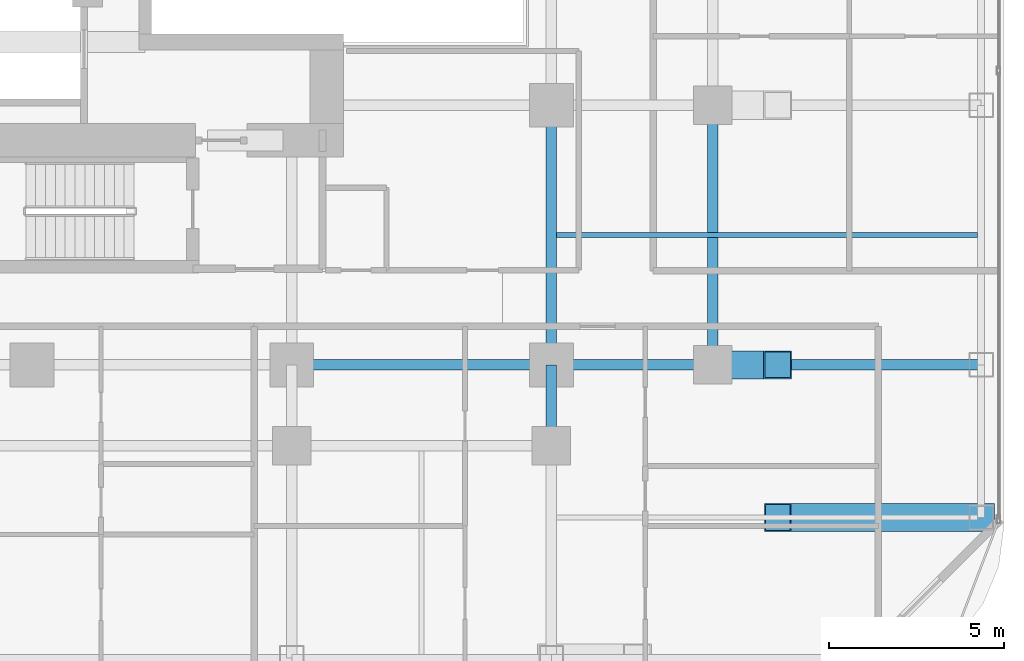
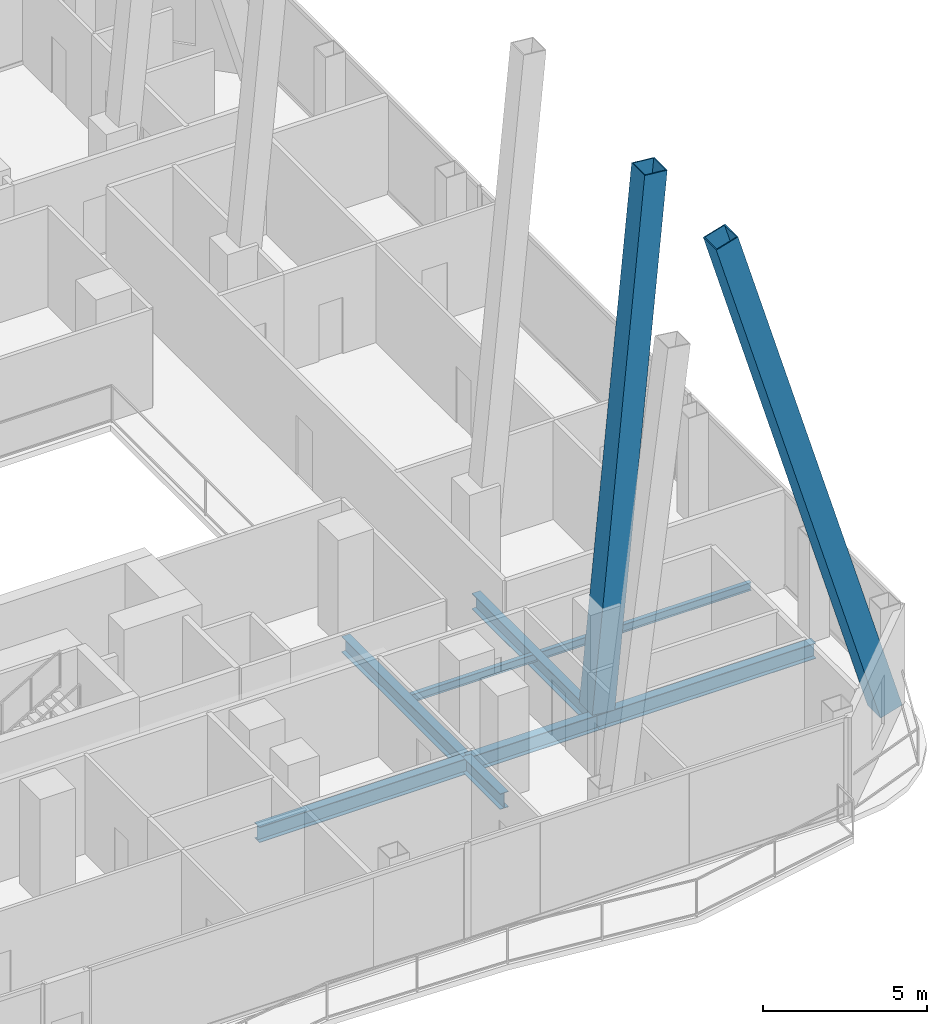
# One storey, part 10 of 32: 7 beams, 2 members.
"""IFC4 building model written with IfcOpenShell, lengths in metres."""

from ifc_helpers import new_model, si_unit, direction, frame, origin, origin_2d, place, context, subcontext, project, spatial, hollow_rectangle, i_section, extrude, material, material_profile, profile_set, type_object, element, save


model = new_model("IFC4")

# Units and contexts
model_context = context("Model", 3, precision=1e-05, world=origin(), true_north=direction((0.0, 1.0)))
body_context = subcontext(model_context, "Body", "Model", "MODEL_VIEW")
ifc_project = project(units=[si_unit("LENGTHUNIT", "METRE"), si_unit("AREAUNIT", "SQUARE_METRE"), si_unit("VOLUMEUNIT", "CUBIC_METRE"), si_unit("PLANEANGLEUNIT", "RADIAN"), si_unit("MASSUNIT", "GRAM", prefix="KILO")], contexts=[model_context])

# Site, building, storey
site_placement = place(None, origin())
site = spatial("IfcSite", under=ifc_project, at=site_placement, CompositionType="ELEMENT")
building_placement = place(site_placement, origin())
building = spatial("IfcBuilding", under=site, at=building_placement, Name="Khorvyn Point Tower", CompositionType="ELEMENT")
storey_placement = place(building_placement, frame((0.0, 0.0, 148.5)))
storey = spatial("IfcBuildingStorey", under=building, at=storey_placement, Name="L37", CompositionType="ELEMENT", Elevation=148.5)

# Beams
ifc_material_1 = material(Name="Steel S355", Category="steel")
ifc_material_profile_1 = material_profile(ifc_material_1, i_section(OverallWidth=0.300048828125, OverallDepth=0.587890625, WebThickness=0.011962890625, FlangeThickness=0.02001953125, at=origin_2d()))
ifc_profile_set_1 = profile_set([ifc_material_profile_1], Name="Steel S355 H588x300x12x20")
beam_type_1 = type_object("IfcBeamType", Name="Steel S355 Beam H588x300x12x20", PredefinedType="BEAM", material=ifc_profile_set_1)
beam_1_placement = place(storey_placement, frame((7.39990234375, -14.800048828125, -0.513916015625), z_axis=(1.0, 0.0, 0.0), x_axis=(0.0, 1.0, 0.0)))
element("IfcBeam", 1, at=beam_1_placement, inside=storey, type_object=beam_type_1, Name="Beam", PredefinedType="BEAM", context=body_context, shape_type="SweptSolid", body=[
    extrude(i_section(OverallWidth=0.300048828125, OverallDepth=0.587890625, WebThickness=0.011962890625, FlangeThickness=0.02001953125, at=origin_2d()), origin(), (0.0, 0.0, 1.0), 7.400146484375),
])
beam_2_placement = place(storey_placement, frame((14.800048828125, -14.800048828125, -0.513916015625), z_axis=(1.0, 0.0, 0.0), x_axis=(0.0, 1.0, 0.0)))
element("IfcBeam", 2, at=beam_2_placement, inside=storey, type_object=beam_type_1, Name="Beam", PredefinedType="BEAM", context=body_context, shape_type="SweptSolid", body=[
    extrude(i_section(OverallWidth=0.300048828125, OverallDepth=0.587890625, WebThickness=0.011962890625, FlangeThickness=0.02001953125, at=origin_2d()), origin(), (0.0, 0.0, 1.0), 4.599853515625),
])
beam_3_placement = place(storey_placement, frame((19.39990234375, -14.800048828125, -0.513916015625), z_axis=(1.0, 0.0, 0.0), x_axis=(0.0, 1.0, 0.0)))
element("IfcBeam", 3, at=beam_3_placement, inside=storey, type_object=beam_type_1, Name="Beam", PredefinedType="BEAM", context=body_context, shape_type="SweptSolid", body=[
    extrude(i_section(OverallWidth=0.300048828125, OverallDepth=0.587890625, WebThickness=0.011962890625, FlangeThickness=0.02001953125, at=origin_2d()), origin(), (0.0, 0.0, 1.0), 7.650146484375),
])
beam_4_placement = place(storey_placement, frame((14.800048828125, -17.10009765625, -0.513916015625), z_axis=(0.0, 1.0, 0.0), x_axis=(-1.0, 0.0, 0.0)))
element("IfcBeam", 4, at=beam_4_placement, inside=storey, type_object=beam_type_1, Name="Beam", PredefinedType="BEAM", context=body_context, shape_type="SweptSolid", body=[
    extrude(i_section(OverallWidth=0.300048828125, OverallDepth=0.587890625, WebThickness=0.011962890625, FlangeThickness=0.02001953125, at=origin_2d()), origin(), (0.0, 0.0, 1.0), 2.300048828125),
])
for number, where, z_axis, x_axis, name in (
    (5, (14.800048828125, -14.800048828125, -0.513916015625), (0.0, 1.0, 0.0), (-1.0, 0.0, 0.0), "Beam"),
    (6, (19.39990234375, -14.800048828125, -0.513916015625), (0.0, 1.0, 0.0), (-1.0, 0.0, 0.0), "Beam"),
):
    element("IfcBeam", number, at=place(storey_placement, frame(where, z_axis=z_axis, x_axis=x_axis)), inside=storey, type_object=beam_type_1, Name=name, PredefinedType="BEAM", context=body_context, shape_type="SweptSolid", body=[
        extrude(i_section(OverallWidth=0.300048828125, OverallDepth=0.587890625, WebThickness=0.011962890625, FlangeThickness=0.02001953125, at=origin_2d()), origin(), (0.0, 0.0, 1.0), 7.400146484375),
    ])
ifc_material_profile_2 = material_profile(ifc_material_1, i_section(OverallWidth=0.14990234375, OverallDepth=0.300048828125, WebThickness=0.006591796875, FlangeThickness=0.009033203125, at=origin_2d()))
ifc_profile_set_2 = profile_set([ifc_material_profile_2], Name="Steel S355 H300x150x6.5x9")
beam_type_2 = type_object("IfcBeamType", Name="Steel S355 Joist H300x150x6.5x9", PredefinedType="JOIST", material=ifc_profile_set_2)
beam_5_placement = place(storey_placement, frame((14.949951171875, -11.10009765625, -0.3701171875), z_axis=(1.0, 0.0, 0.0), x_axis=(0.0, 1.0, 0.0)))
element("IfcBeam", 7, at=beam_5_placement, inside=storey, type_object=beam_type_2, Name="Beam", PredefinedType="JOIST", context=body_context, shape_type="SweptSolid", body=[
    extrude(i_section(OverallWidth=0.14990234375, OverallDepth=0.300048828125, WebThickness=0.006591796875, FlangeThickness=0.009033203125, at=origin_2d()), origin(), (0.0, 0.0, 1.0), 12.0),
])

# Members
ifc_material_2 = material(Name="Steel S450", Category="steel")
ifc_material_profile_3 = material_profile(ifc_material_2, hollow_rectangle(XDim=0.800048828125, YDim=0.800048828125, WallThickness=0.035888671875, at=origin_2d()))
ifc_profile_set_3 = profile_set([ifc_material_profile_3], Name="Steel S450 BOX800x800x36")
member_type = type_object("IfcMemberType", Name="Steel S450 Exoskeleton Structural Post BOX800x800x36", PredefinedType="POST", material=ifc_profile_set_3)
member_1_placement = place(storey_placement, frame((27.050048828125, -19.14990234375, 0.0), z_axis=(-0.285094530681, 0.0, 0.958499404578), x_axis=(0.0, -1.0, 0.0)))
element("IfcMember", 8, at=member_1_placement, inside=storey, type_object=member_type, Name="L37 to L41 Exoskeleton Transfer Post 07", PredefinedType="POST", context=body_context, shape_type="SweptSolid", body=[
    extrude(hollow_rectangle(XDim=0.800048828125, YDim=0.800048828125, WallThickness=0.035888671875, at=origin_2d()), origin(), (0.0, 0.0, 1.0), 20.34423828125),
])
member_2_placement = place(storey_placement, frame((19.39990234375, -14.800048828125, 0.0), z_axis=(0.09445264246, 0.0, 0.995529355837), x_axis=(0.0, 1.0, 0.0)))
element("IfcMember", 9, at=member_2_placement, inside=storey, type_object=member_type, Name="L37 to L41 Exoskeleton Transfer Post 12", PredefinedType="POST", context=body_context, shape_type="SweptSolid", body=[
    extrude(hollow_rectangle(XDim=0.800048828125, YDim=0.800048828125, WallThickness=0.035888671875, at=origin_2d()), origin(), (0.0, 0.0, 1.0), 19.587646484375),
])

save(model, "model.ifc")
